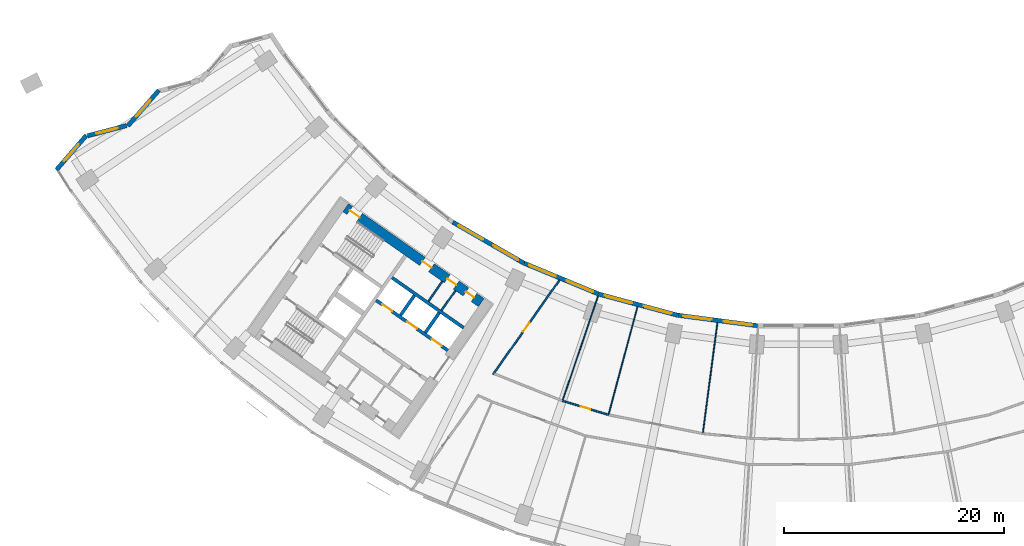
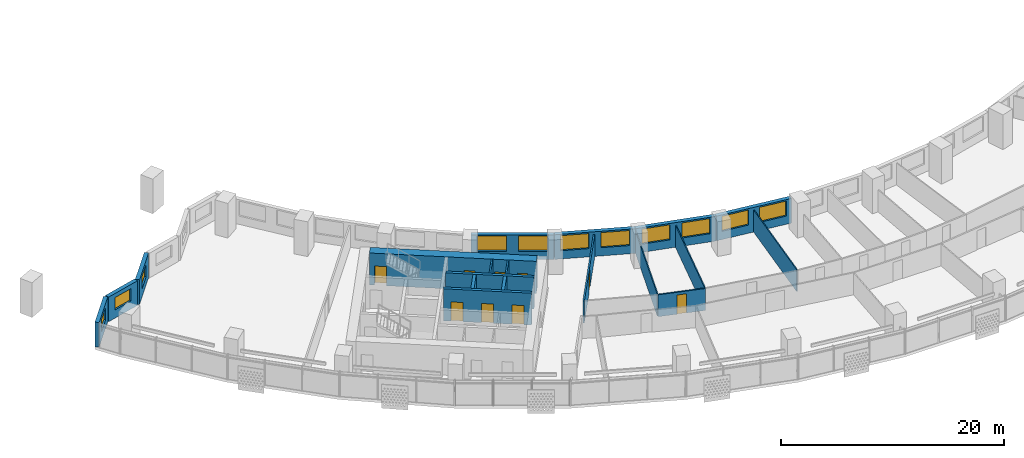
# One storey, part 4 of 31: 19 walls, 11 windows, 9 doors, 20 openings.
"""IFC4 building model written with IfcOpenShell, lengths in metres."""

from ifc_helpers import new_model, si_unit, direction, frame, frame_2d, origin, place, context, subcontext, project, spatial, rectangle, extrude, material, layer, layer_set, type_object, element, fill, save


model = new_model("IFC4")

# Units and contexts
model_context = context("Model", 3, precision=1e-05, world=origin(), true_north=direction((0.0, 1.0)))
body_context = subcontext(model_context, "Body", "Model", "MODEL_VIEW")
ifc_project = project(units=[si_unit("LENGTHUNIT", "METRE"), si_unit("AREAUNIT", "SQUARE_METRE"), si_unit("VOLUMEUNIT", "CUBIC_METRE"), si_unit("PLANEANGLEUNIT", "RADIAN"), si_unit("MASSUNIT", "GRAM", prefix="KILO")], contexts=[model_context])

# Site, building, storey
site_placement = place(None, origin())
site = spatial("IfcSite", under=ifc_project, at=site_placement, CompositionType="ELEMENT")
building_placement = place(site_placement, origin())
building = spatial("IfcBuilding", under=site, at=building_placement, Name="Qamariyya Broadcast Tower", CompositionType="ELEMENT")
storey_placement = place(building_placement, frame((0.0, 0.0, 59.5)))
storey = spatial("IfcBuildingStorey", under=building, at=storey_placement, Name="L11", CompositionType="ELEMENT", Elevation=59.5)

# Wall, openings, doors
ifc_material_1 = material(Name="Concrete C70/85", Category="concrete")
ifc_layer_1 = layer(ifc_material_1, 0.89990234375)
ifc_layer_set_1 = layer_set([ifc_layer_1], Name="Core wall 900 mm Concrete C70/85")
wall_type_1 = type_object("IfcWallType", Name="Core wall 900 mm Concrete C70/85", PredefinedType="SHEAR", material=ifc_layer_set_1)
wall_1_placement = place(storey_placement, frame((-28.8544921875, -54.32421875, 0.0), z_axis=(0.0, 0.0, 1.0), x_axis=(-0.819145767589, 0.573585400304, 0.0)))
wall_1 = element("IfcWall", 1, at=wall_1_placement, inside=storey, type_object=wall_type_1, Name="k-W-L11-WI", PredefinedType="SHEAR", context=body_context, shape_type="SweptSolid", body=[
    extrude(rectangle(XDim=15.04541015625, YDim=0.89990234375, at=frame_2d((7.522705078125, 0.0))), origin(), (0.0, 0.0, 1.0), 3.5),
])
opening_1_placement = place(wall_1_placement, frame((0.800048828125, 0.0, 0.0)))
opening_1 = element("IfcOpeningElement", 2, at=opening_1_placement, cuts=wall_1, Name="Opening KD5-W1", PredefinedType="OPENING", context=body_context, shape_type="SweptSolid", body=[
    extrude(rectangle(XDim=0.89990234375, YDim=2.10009765625, at=frame_2d((0.449951171875, 1.050048828125))), frame((0.0, 0.4599609375, 0.0), z_axis=(0.0, -1.0, 0.0), x_axis=(1.0, 0.0, 0.0)), (0.0, 0.0, 1.0), 0.919921875),
])
opening_2_placement = place(wall_1_placement, frame((2.77490234375, 0.0, 0.0)))
opening_2 = element("IfcOpeningElement", 3, at=opening_2_placement, cuts=wall_1, Name="Opening KD7-W1", PredefinedType="OPENING", context=body_context, shape_type="SweptSolid", body=[
    extrude(rectangle(XDim=1.0, YDim=2.10009765625, at=frame_2d((0.5, 1.050048828125))), frame((0.0, 0.4599609375, 0.0), z_axis=(0.0, -1.0, 0.0), x_axis=(1.0, 0.0, 0.0)), (0.0, 0.0, 1.0), 0.919921875),
])
opening_3_placement = place(wall_1_placement, frame((5.52490234375, 0.0, 0.0)))
opening_3 = element("IfcOpeningElement", 4, at=opening_3_placement, cuts=wall_1, Name="Opening KD6-W2", PredefinedType="OPENING", context=body_context, shape_type="SweptSolid", body=[
    extrude(rectangle(XDim=1.0, YDim=2.10009765625, at=frame_2d((0.5, 1.050048828125))), frame((0.0, 0.4599609375, 0.0), z_axis=(0.0, -1.0, 0.0), x_axis=(1.0, 0.0, 0.0)), (0.0, 0.0, 1.0), 0.919921875),
])
opening_4_placement = place(wall_1_placement, frame((13.495361328125, 0.0, 0.0)))
opening_4 = element("IfcOpeningElement", 5, at=opening_4_placement, cuts=wall_1, Name="Opening KD1-W1", PredefinedType="OPENING", context=body_context, shape_type="SweptSolid", body=[
    extrude(rectangle(XDim=1.10009765625, YDim=2.10009765625, at=frame_2d((0.550048828125, 1.050048828125))), frame((0.0, 0.4599609375, 0.0), z_axis=(0.0, -1.0, 0.0), x_axis=(1.0, 0.0, 0.0)), (0.0, 0.0, 1.0), 0.919921875),
])
ifc_material_2 = material(Name="Steel fire-resisting door leaf", Category="steel")
door_type_1 = type_object("IfcDoorType", Name="Accessible toilet door KD7", OperationType="SINGLE_SWING_LEFT", PredefinedType="DOOR", material=ifc_material_2)
door_1_placement = place(opening_2_placement, origin())
door_1 = element("IfcDoor", 6, at=door_1_placement, inside=storey, type_object=door_type_1, Name="k-W-L11-WI-D8", OperationType="SINGLE_SWING_LEFT", OverallHeight=2.10009765625, OverallWidth=1.0, PredefinedType="DOOR", context=body_context, shape_type="SweptSolid", body=[
    extrude(rectangle(XDim=1.0, YDim=2.10009765625, at=frame_2d((0.5, 1.050048828125))), frame((0.0, 0.02490234375, 0.0), z_axis=(0.0, -1.0, 0.0), x_axis=(1.0, 0.0, 0.0)), (0.0, 0.0, 1.0), 0.050048828125),
])
fill(opening_2, door_1)
door_type_2 = type_object("IfcDoorType", Name="Core room door KD6", OperationType="SINGLE_SWING_LEFT", PredefinedType="DOOR", material=ifc_material_2)
door_2_placement = place(opening_3_placement, origin())
door_2 = element("IfcDoor", 7, at=door_2_placement, inside=storey, type_object=door_type_2, Name="k-W-L11-WI-D9", OperationType="SINGLE_SWING_RIGHT", OverallHeight=2.10009765625, OverallWidth=1.0, PredefinedType="DOOR", context=body_context, shape_type="SweptSolid", body=[
    extrude(rectangle(XDim=1.0, YDim=2.10009765625, at=frame_2d((0.5, 1.050048828125))), frame((0.0, 0.02490234375, 0.0), z_axis=(0.0, -1.0, 0.0), x_axis=(1.0, 0.0, 0.0)), (0.0, 0.0, 1.0), 0.050048828125),
])
fill(opening_3, door_2)
door_type_3 = type_object("IfcDoorType", Name="Stair door KD1", OperationType="SINGLE_SWING_LEFT", PredefinedType="DOOR", material=ifc_material_2)
door_3_placement = place(opening_4_placement, origin())
door_3 = element("IfcDoor", 8, at=door_3_placement, inside=storey, type_object=door_type_3, Name="k-W-L11-WI-D16", OperationType="SINGLE_SWING_RIGHT", OverallHeight=2.10009765625, OverallWidth=1.10009765625, PredefinedType="DOOR", context=body_context, shape_type="SweptSolid", body=[
    extrude(rectangle(XDim=1.10009765625, YDim=2.10009765625, at=frame_2d((0.550048828125, 1.050048828125))), frame((0.0, 0.02490234375, 0.0), z_axis=(0.0, -1.0, 0.0), x_axis=(1.0, 0.0, 0.0)), (0.0, 0.0, 1.0), 0.050048828125),
])
fill(opening_4, door_3)
door_type_4 = type_object("IfcDoorType", Name="Toilet door KD5", OperationType="SINGLE_SWING_LEFT", PredefinedType="DOOR", material=ifc_material_2)
door_4_placement = place(opening_1_placement, origin())
door_4 = element("IfcDoor", 9, at=door_4_placement, inside=storey, type_object=door_type_4, Name="k-W-L11-WI-D7", OperationType="SINGLE_SWING_RIGHT", OverallHeight=2.10009765625, OverallWidth=0.89990234375, PredefinedType="DOOR", context=body_context, shape_type="SweptSolid", body=[
    extrude(rectangle(XDim=0.89990234375, YDim=2.10009765625, at=frame_2d((0.449951171875, 1.050048828125))), frame((0.0, 0.02490234375, 0.0), z_axis=(0.0, -1.0, 0.0), x_axis=(1.0, 0.0, 0.0)), (0.0, 0.0, 1.0), 0.050048828125),
])
fill(opening_1, door_4)

# Wall, opening, door
ifc_material_3 = material(Name="Gypsum board partition")
ifc_layer_2 = layer(ifc_material_3, 0.14990234375)
ifc_layer_set_2 = layer_set([ifc_layer_2], Name="Corridor partition 150 EI 60")
wall_type_2 = type_object("IfcWallType", Name="Corridor partition 150 EI 60", PredefinedType="PARTITIONING", material=ifc_layer_set_2)
wall_2_placement = place(storey_placement, frame((-21.748291015625, -52.2763671875, 0.0), z_axis=(0.0, 0.0, 1.0), x_axis=(-0.575419434668, -0.817858468322, 0.0)))
wall_2 = element("IfcWall", 10, at=wall_2_placement, inside=storey, type_object=wall_type_2, Name="Partition L11-008", PredefinedType="PARTITIONING", context=body_context, shape_type="SweptSolid", body=[
    extrude(rectangle(XDim=10.46484375, YDim=0.14990234375, at=frame_2d((5.232421875, 0.0))), origin(), (0.0, 0.0, 1.0), 2.39990234375),
])
opening_5_placement = place(wall_2_placement, frame((4.732421875, 0.0, 0.0)))
opening_5 = element("IfcOpeningElement", 11, at=opening_5_placement, cuts=wall_2, Name="Opening L11-D08", PredefinedType="OPENING", context=body_context, shape_type="SweptSolid", body=[
    extrude(rectangle(XDim=1.0, YDim=2.10009765625, at=frame_2d((0.5, 1.050048828125))), frame((0.0, 0.0849609375, 0.0), z_axis=(0.0, -1.0, 0.0), x_axis=(1.0, 0.0, 0.0)), (0.0, 0.0, 1.0), 0.169921875),
])
ifc_material_4 = material(Name="Timber fire door leaf", Category="wood")
door_type_5 = type_object("IfcDoorType", Name="Fire door 1000 x 2100 FD60", OperationType="NOTDEFINED", PredefinedType="DOOR", material=ifc_material_4)
door_5_placement = place(opening_5_placement, origin())
door_5 = element("IfcDoor", 12, at=door_5_placement, inside=storey, type_object=door_type_5, Name="Door L11-D08", OperationType="SINGLE_SWING_RIGHT", OverallHeight=2.10009765625, OverallWidth=1.0, PredefinedType="DOOR", context=body_context, shape_type="SweptSolid", body=[
    extrude(rectangle(XDim=1.0, YDim=2.10009765625, at=frame_2d((0.5, 1.050048828125))), frame((0.0, 0.02490234375, 0.0), z_axis=(0.0, -1.0, 0.0), x_axis=(1.0, 0.0, 0.0)), (0.0, 0.0, 1.0), 0.050048828125),
])
fill(opening_5, door_5)

wall_3_placement = place(storey_placement, frame((-21.47216796875, -63.2548828125, 0.0), z_axis=(0.0, 0.0, 1.0), x_axis=(0.956933231095, -0.290308097072, 0.0)))
wall_3 = element("IfcWall", 13, at=wall_3_placement, inside=storey, type_object=wall_type_2, Name="Partition L11-009", PredefinedType="PARTITIONING", context=body_context, shape_type="SweptSolid", body=[
    extrude(rectangle(XDim=4.371337890625, YDim=0.14990234375, at=frame_2d((2.185546875, 0.0))), origin(), (0.0, 0.0, 1.0), 2.39990234375),
])
opening_6_placement = place(wall_3_placement, frame((1.735595703125, 0.0, 0.0)))
opening_6 = element("IfcOpeningElement", 14, at=opening_6_placement, cuts=wall_3, Name="Opening L11-D09", PredefinedType="OPENING", context=body_context, shape_type="SweptSolid", body=[
    extrude(rectangle(XDim=0.89990234375, YDim=2.10009765625, at=frame_2d((0.449951171875, 1.050048828125))), frame((0.0, 0.0849609375, 0.0), z_axis=(0.0, -1.0, 0.0), x_axis=(1.0, 0.0, 0.0)), (0.0, 0.0, 1.0), 0.169921875),
])
door_type_6 = type_object("IfcDoorType", Name="Fire door 900 x 2100 FD60", OperationType="NOTDEFINED", PredefinedType="DOOR", material=ifc_material_4)
door_6_placement = place(opening_6_placement, origin())
door_6 = element("IfcDoor", 15, at=door_6_placement, inside=storey, type_object=door_type_6, Name="Door L11-D09", OperationType="SINGLE_SWING_RIGHT", OverallHeight=2.10009765625, OverallWidth=0.89990234375, PredefinedType="DOOR", context=body_context, shape_type="SweptSolid", body=[
    extrude(rectangle(XDim=0.89990234375, YDim=2.10009765625, at=frame_2d((0.449951171875, 1.050048828125))), frame((0.0, 0.02490234375, 0.0), z_axis=(0.0, -1.0, 0.0), x_axis=(1.0, 0.0, 0.0)), (0.0, 0.0, 1.0), 0.050048828125),
])
fill(opening_6, door_6)

# Walls
ifc_material_5 = material(Name="Gypsum board partition on steel studs", Category="steel")
ifc_layer_3 = layer(ifc_material_5, 0.14990234375)
ifc_layer_set_3 = layer_set([ifc_layer_3], Name="Gypsum board partition 150 mm")
wall_type_3 = type_object("IfcWallType", Name="Gypsum board partition 150 mm", PredefinedType="PARTITIONING", material=ifc_layer_set_3)
wall_4_placement = place(storey_placement, frame((-32.46337890625, -55.0322265625, 0.0), z_axis=(0.0, 0.0, 1.0), x_axis=(0.573507030513, 0.819200638399, 0.0)))
element("IfcWall", 16, at=wall_4_placement, inside=storey, type_object=wall_type_3, Name="k-W-L11-NP255", PredefinedType="PARTITIONING", context=body_context, shape_type="SweptSolid", body=[
    extrude(rectangle(XDim=2.199951171875, YDim=0.14990234375, at=frame_2d((1.10009765625, 0.0))), origin(), (0.0, 0.0, 1.0), 3.5),
])
wall_5_placement = place(storey_placement, frame((-33.651123046875, -54.200439453125, 0.0), z_axis=(0.0, 0.0, 1.0), x_axis=(0.573559170999, 0.819164133348, 0.0)))
element("IfcWall", 17, at=wall_5_placement, inside=storey, type_object=wall_type_3, Name="k-W-L11-NP400", PredefinedType="PARTITIONING", context=body_context, shape_type="SweptSolid", body=[
    extrude(rectangle(XDim=2.19970703125, YDim=0.14990234375, at=frame_2d((1.099853515625, 0.0))), origin(), (0.0, 0.0, 1.0), 3.5),
])

# Wall, openings, doors
ifc_material_6 = material(Name="Concrete C60/75", Category="concrete")
ifc_layer_4 = layer(ifc_material_6, 0.300048828125)
ifc_layer_set_4 = layer_set([ifc_layer_4], Name="Lift shaft wall 300 mm Concrete C60/75")
wall_type_4 = type_object("IfcWallType", Name="Lift shaft wall 300 mm Concrete C60/75", PredefinedType="SOLIDWALL", material=ifc_layer_set_4)
wall_6_placement = place(storey_placement, frame((-31.89453125, -58.66552734375, 0.0), z_axis=(0.0, 0.0, 1.0), x_axis=(-0.819166993208, 0.573555086491, 0.0)))
wall_6 = element("IfcWall", 18, at=wall_6_placement, inside=storey, type_object=wall_type_4, Name="k-W-L11-NF0", PredefinedType="SOLIDWALL", context=body_context, shape_type="SweptSolid", body=[
    extrude(rectangle(XDim=7.9501953125, YDim=0.300048828125, at=frame_2d((3.97509765625, 0.0))), origin(), (0.0, 0.0, 1.0), 3.5),
])
opening_7_placement = place(wall_6_placement, frame((0.675048828125, 0.0, 0.0)))
opening_7 = element("IfcOpeningElement", 19, at=opening_7_placement, cuts=wall_6, Name="Opening LD", PredefinedType="OPENING", context=body_context, shape_type="SweptSolid", body=[
    extrude(rectangle(XDim=1.10009765625, YDim=2.10009765625, at=frame_2d((0.550048828125, 1.050048828125))), frame((0.0, 0.159912109375, 0.0), z_axis=(0.0, -1.0, 0.0), x_axis=(1.0, 0.0, 0.0)), (0.0, 0.0, 1.0), 0.320068359375),
])
opening_8_placement = place(wall_6_placement, frame((3.425048828125, 0.0, 0.0)))
opening_8 = element("IfcOpeningElement", 20, at=opening_8_placement, cuts=wall_6, Name="Opening LD", PredefinedType="OPENING", context=body_context, shape_type="SweptSolid", body=[
    extrude(rectangle(XDim=1.10009765625, YDim=2.10009765625, at=frame_2d((0.550048828125, 1.050048828125))), frame((0.0, 0.159912109375, 0.0), z_axis=(0.0, -1.0, 0.0), x_axis=(1.0, 0.0, 0.0)), (0.0, 0.0, 1.0), 0.320068359375),
])
opening_9_placement = place(wall_6_placement, frame((6.175048828125, 0.0, 0.0)))
opening_9 = element("IfcOpeningElement", 21, at=opening_9_placement, cuts=wall_6, Name="Opening LD", PredefinedType="OPENING", context=body_context, shape_type="SweptSolid", body=[
    extrude(rectangle(XDim=1.10009765625, YDim=2.10009765625, at=frame_2d((0.550048828125, 1.050048828125))), frame((0.0, 0.159912109375, 0.0), z_axis=(0.0, -1.0, 0.0), x_axis=(1.0, 0.0, 0.0)), (0.0, 0.0, 1.0), 0.320068359375),
])
door_type_7 = type_object("IfcDoorType", Name="Lift landing door LD", OperationType="DOUBLE_DOOR_SLIDING", PredefinedType="DOOR", material=ifc_material_2)
door_7_placement = place(opening_7_placement, origin())
door_7 = element("IfcDoor", 22, at=door_7_placement, inside=storey, type_object=door_type_7, Name="k-W-L11-NF0-D2", OperationType="DOUBLE_DOOR_SLIDING", OverallHeight=2.10009765625, OverallWidth=1.10009765625, PredefinedType="DOOR", context=body_context, shape_type="SweptSolid", body=[
    extrude(rectangle(XDim=1.10009765625, YDim=2.10009765625, at=frame_2d((0.550048828125, 1.050048828125))), frame((0.0, 0.02490234375, 0.0), z_axis=(0.0, -1.0, 0.0), x_axis=(1.0, 0.0, 0.0)), (0.0, 0.0, 1.0), 0.050048828125),
])
fill(opening_7, door_7)
door_8_placement = place(opening_8_placement, origin())
door_8 = element("IfcDoor", 23, at=door_8_placement, inside=storey, type_object=door_type_7, Name="k-W-L11-NF0-D3", OperationType="DOUBLE_DOOR_SLIDING", OverallHeight=2.10009765625, OverallWidth=1.10009765625, PredefinedType="DOOR", context=body_context, shape_type="SweptSolid", body=[
    extrude(rectangle(XDim=1.10009765625, YDim=2.10009765625, at=frame_2d((0.550048828125, 1.050048828125))), frame((0.0, 0.02490234375, 0.0), z_axis=(0.0, -1.0, 0.0), x_axis=(1.0, 0.0, 0.0)), (0.0, 0.0, 1.0), 0.050048828125),
])
fill(opening_8, door_8)
door_9_placement = place(opening_9_placement, origin())
door_9 = element("IfcDoor", 24, at=door_9_placement, inside=storey, type_object=door_type_7, Name="k-W-L11-NF0-D4", OperationType="DOUBLE_DOOR_SLIDING", OverallHeight=2.10009765625, OverallWidth=1.10009765625, PredefinedType="DOOR", context=body_context, shape_type="SweptSolid", body=[
    extrude(rectangle(XDim=1.10009765625, YDim=2.10009765625, at=frame_2d((0.550048828125, 1.050048828125))), frame((0.0, 0.02490234375, 0.0), z_axis=(0.0, -1.0, 0.0), x_axis=(1.0, 0.0, 0.0)), (0.0, 0.0, 1.0), 0.050048828125),
])
fill(opening_9, door_9)

# Walls
wall_7_placement = place(storey_placement, frame((-30.460693359375, -56.61767578125, 0.0), z_axis=(0.0, 0.0, 1.0), x_axis=(-0.819142461705, 0.573590121456, 0.0)))
element("IfcWall", 25, at=wall_7_placement, inside=storey, type_object=wall_type_4, Name="k-W-L11-NB0", PredefinedType="SOLIDWALL", context=body_context, shape_type="SweptSolid", body=[
    extrude(rectangle(XDim=7.949951171875, YDim=0.300048828125, at=frame_2d((3.97509765625, 0.0))), origin(), (0.0, 0.0, 1.0), 3.5),
])
wall_8_placement = place(storey_placement, frame((-33.9384765625, -57.051513671875, 0.0), z_axis=(0.0, 0.0, 1.0), x_axis=(0.573581496053, 0.819148501424, 0.0)))
element("IfcWall", 26, at=wall_8_placement, inside=storey, type_object=wall_type_4, Name="k-W-L11-ND0", PredefinedType="SOLIDWALL", context=body_context, shape_type="SweptSolid", body=[
    extrude(rectangle(XDim=2.2001953125, YDim=0.300048828125, at=frame_2d((1.10009765625, 0.0))), origin(), (0.0, 0.0, 1.0), 3.5),
])
wall_9_placement = place(storey_placement, frame((-36.19091796875, -55.47412109375, 0.0), z_axis=(0.0, 0.0, 1.0), x_axis=(0.573507030513, 0.819200638399, 0.0)))
element("IfcWall", 27, at=wall_9_placement, inside=storey, type_object=wall_type_4, Name="k-W-L11-ND1", PredefinedType="SOLIDWALL", context=body_context, shape_type="SweptSolid", body=[
    extrude(rectangle(XDim=2.199951171875, YDim=0.300048828125, at=frame_2d((1.10009765625, 0.0))), origin(), (0.0, 0.0, 1.0), 3.5),
])
ifc_layer_5 = layer(ifc_material_3, 0.10009765625)
ifc_layer_set_5 = layer_set([ifc_layer_5], Name="Partition 100")
wall_type_5 = type_object("IfcWallType", Name="Partition 100", PredefinedType="PARTITIONING", material=ifc_layer_set_5)
wall_10_placement = place(storey_placement, frame((-18.24169921875, -53.73828125, 0.0), z_axis=(0.0, 0.0, 1.0), x_axis=(-0.321436265026, -0.946931215837, 0.0)))
element("IfcWall", 28, at=wall_10_placement, inside=storey, type_object=wall_type_5, Name="Partition L11-011", PredefinedType="PARTITIONING", context=body_context, shape_type="SweptSolid", body=[
    extrude(rectangle(XDim=9.974853515625, YDim=0.10009765625, at=frame_2d((4.9873046875, 0.0))), origin(), (0.0, 0.0, 1.0), 2.39990234375),
])
for number, where, z_axis, x_axis, name in (
    (29, (-14.65673828125, -54.69970703125, 0.0), (0.0, 0.0, 1.0), (-0.258825935876, -0.965923979885, 0.0), "Partition L11-013"),
    (30, (-7.3916015625, -56.144775390625, 0.0), (0.0, 0.0, 1.0), (-0.130538336764, -0.991443262439, 0.0), "Partition L11-015"),
):
    element("IfcWall", number, at=place(storey_placement, frame(where, z_axis=z_axis, x_axis=x_axis)), inside=storey, type_object=wall_type_5, Name=name, PredefinedType="PARTITIONING", context=body_context, shape_type="SweptSolid", body=[
        extrude(rectangle(XDim=10.095703125, YDim=0.10009765625, at=frame_2d((5.0478515625, 0.0))), origin(), (0.0, 0.0, 1.0), 2.39990234375),
    ])

# Wall, opening, window
ifc_material_7 = material(Name="Terracotta", Category="masonry")
ifc_layer_6 = layer(ifc_material_7, 0.39990234375)
ifc_layer_set_6 = layer_set([ifc_layer_6], Name="Terracotta clad wall 400")
wall_type_6 = type_object("IfcWallType", Name="Terracotta clad wall 400", PredefinedType="SOLIDWALL", material=ifc_layer_set_6)
wall_11_placement = place(storey_placement, frame((-58.16162109375, -35.0224609375, 0.0), z_axis=(0.0, 0.0, 1.0), x_axis=(-0.655460624438, -0.755229349146, 0.0)))
wall_11 = element("IfcWall", 31, at=wall_11_placement, inside=storey, type_object=wall_type_6, Name="e-wl-L11-capW3", PredefinedType="SOLIDWALL", context=body_context, shape_type="SweptSolid", body=[
    extrude(rectangle(XDim=4.294677734375, YDim=0.39990234375, at=frame_2d((2.1474609375, 0.0))), origin(), (0.0, 0.0, 1.0), 2.699951171875),
])
opening_10_placement = place(wall_11_placement, frame((1.147216796875, 0.0, 0.89990234375)))
opening_10 = element("IfcOpeningElement", 32, at=opening_10_placement, cuts=wall_11, Name="Opening W4", PredefinedType="OPENING", context=body_context, shape_type="SweptSolid", body=[
    extrude(rectangle(XDim=2.0, YDim=1.35009765625, at=frame_2d((1.0, 0.675048828125))), frame((0.0, 0.2099609375, 0.0), z_axis=(0.0, -1.0, 0.0), x_axis=(1.0, 0.0, 0.0)), (0.0, 0.0, 1.0), 0.419921875),
])
ifc_material_8 = material(Name="Clear low-e double glazed unit in aluminium frame", Category="aluminium")
window_type_1 = type_object("IfcWindowType", Name="Horn bay window 2000 x 1350", PartitioningType="SINGLE_PANEL", PredefinedType="WINDOW", material=ifc_material_8)
window_1_placement = place(opening_10_placement, origin())
window_1 = element("IfcWindow", 33, at=window_1_placement, inside=storey, type_object=window_type_1, Name="e-w-L11-capW3", OverallHeight=1.35009765625, OverallWidth=2.0, PartitioningType="SINGLE_PANEL", PredefinedType="WINDOW", context=body_context, shape_type="SweptSolid", body=[
    extrude(rectangle(XDim=2.0, YDim=1.35009765625, at=frame_2d((1.0, 0.675048828125))), frame((0.0, 0.030029296875, 0.0), z_axis=(0.0, -1.0, 0.0), x_axis=(1.0, 0.0, 0.0)), (0.0, 0.0, 1.0), 0.06005859375),
])
fill(opening_10, window_1)

wall_12_placement = place(storey_placement, frame((-61.10107421875, -38.234619140625, 0.0), z_axis=(0.0, 0.0, 1.0), x_axis=(-0.967238154233, -0.253870740724, 0.0)))
wall_12 = element("IfcWall", 34, at=wall_12_placement, inside=storey, type_object=wall_type_6, Name="e-wl-L11-capW4", PredefinedType="SOLIDWALL", context=body_context, shape_type="SweptSolid", body=[
    extrude(rectangle(XDim=3.648681640625, YDim=0.39990234375, at=frame_2d((1.82421875, 0.0))), origin(), (0.0, 0.0, 1.0), 2.699951171875),
])
opening_11_placement = place(wall_12_placement, frame((0.824462890625, 0.0, 0.89990234375)))
opening_11 = element("IfcOpeningElement", 35, at=opening_11_placement, cuts=wall_12, Name="Opening W4", PredefinedType="OPENING", context=body_context, shape_type="SweptSolid", body=[
    extrude(rectangle(XDim=2.0, YDim=1.35009765625, at=frame_2d((1.0, 0.675048828125))), frame((0.0, 0.2099609375, 0.0), z_axis=(0.0, -1.0, 0.0), x_axis=(1.0, 0.0, 0.0)), (0.0, 0.0, 1.0), 0.419921875),
])
window_2_placement = place(opening_11_placement, origin())
window_2 = element("IfcWindow", 36, at=window_2_placement, inside=storey, type_object=window_type_1, Name="e-w-L11-capW4", OverallHeight=1.35009765625, OverallWidth=2.0, PartitioningType="SINGLE_PANEL", PredefinedType="WINDOW", context=body_context, shape_type="SweptSolid", body=[
    extrude(rectangle(XDim=2.0, YDim=1.35009765625, at=frame_2d((1.0, 0.675048828125))), frame((0.0, 0.030029296875, 0.0), z_axis=(0.0, -1.0, 0.0), x_axis=(1.0, 0.0, 0.0)), (0.0, 0.0, 1.0), 0.06005859375),
])
fill(opening_11, window_2)

wall_13_placement = place(storey_placement, frame((-64.7548828125, -39.12939453125, 0.0), z_axis=(0.0, 0.0, 1.0), x_axis=(-0.655408477407, -0.755274604195, 0.0)))
wall_13 = element("IfcWall", 37, at=wall_13_placement, inside=storey, type_object=wall_type_6, Name="e-wl-L11-capW5", PredefinedType="SOLIDWALL", context=body_context, shape_type="SweptSolid", body=[
    extrude(rectangle(XDim=4.121826171875, YDim=0.39990234375, at=frame_2d((2.06103515625, 0.0))), origin(), (0.0, 0.0, 1.0), 2.699951171875),
])
opening_12_placement = place(wall_13_placement, frame((1.060791015625, 0.0, 0.89990234375)))
opening_12 = element("IfcOpeningElement", 38, at=opening_12_placement, cuts=wall_13, Name="Opening W4", PredefinedType="OPENING", context=body_context, shape_type="SweptSolid", body=[
    extrude(rectangle(XDim=2.0, YDim=1.35009765625, at=frame_2d((1.0, 0.675048828125))), frame((0.0, 0.2099609375, 0.0), z_axis=(0.0, -1.0, 0.0), x_axis=(1.0, 0.0, 0.0)), (0.0, 0.0, 1.0), 0.419921875),
])
window_3_placement = place(opening_12_placement, origin())
window_3 = element("IfcWindow", 39, at=window_3_placement, inside=storey, type_object=window_type_1, Name="e-w-L11-capW5", OverallHeight=1.35009765625, OverallWidth=2.0, PartitioningType="SINGLE_PANEL", PredefinedType="WINDOW", context=body_context, shape_type="SweptSolid", body=[
    extrude(rectangle(XDim=2.0, YDim=1.35009765625, at=frame_2d((1.0, 0.675048828125))), frame((0.0, 0.030029296875, 0.0), z_axis=(0.0, -1.0, 0.0), x_axis=(1.0, 0.0, 0.0)), (0.0, 0.0, 1.0), 0.06005859375),
])
fill(opening_12, window_3)

# Wall, openings, windows
wall_14_placement = place(storey_placement, frame((-24.989990234375, -50.73095703125, 0.0), z_axis=(0.0, 0.0, 1.0), x_axis=(-0.866037641005, 0.499978803913, 0.0)))
wall_14 = element("IfcWall", 40, at=wall_14_placement, inside=storey, type_object=wall_type_6, Name="e-wl-L11-in40", PredefinedType="SOLIDWALL", context=body_context, shape_type="SweptSolid", body=[
    extrude(rectangle(XDim=7.447021484375, YDim=0.39990234375, at=frame_2d((3.7236328125, 0.0))), origin(), (0.0, 0.0, 1.0), 2.699951171875),
])
opening_13_placement = place(wall_14_placement, frame((4.266357421875, 0.0, 0.89990234375)))
opening_13 = element("IfcOpeningElement", 41, at=opening_13_placement, cuts=wall_14, Name="Opening W1", PredefinedType="OPENING", context=body_context, shape_type="SweptSolid", body=[
    extrude(rectangle(XDim=2.60009765625, YDim=1.64990234375, at=frame_2d((1.300048828125, 0.824951171875))), frame((0.0, 0.2099609375, 0.0), z_axis=(0.0, -1.0, 0.0), x_axis=(1.0, 0.0, 0.0)), (0.0, 0.0, 1.0), 0.419921875),
])
opening_14_placement = place(wall_14_placement, frame((0.580810546875, 0.0, 0.89990234375)))
opening_14 = element("IfcOpeningElement", 42, at=opening_14_placement, cuts=wall_14, Name="Opening W1", PredefinedType="OPENING", context=body_context, shape_type="SweptSolid", body=[
    extrude(rectangle(XDim=2.60009765625, YDim=1.64990234375, at=frame_2d((1.300048828125, 0.824951171875))), frame((0.0, 0.2099609375, 0.0), z_axis=(0.0, -1.0, 0.0), x_axis=(1.0, 0.0, 0.0)), (0.0, 0.0, 1.0), 0.419921875),
])
window_type_2 = type_object("IfcWindowType", Name="Ribbon window 2600 x 1650", PartitioningType="SINGLE_PANEL", PredefinedType="WINDOW", material=ifc_material_8)
window_4_placement = place(opening_13_placement, origin())
window_4 = element("IfcWindow", 43, at=window_4_placement, inside=storey, type_object=window_type_2, Name="e-w-L11-in04-0", OverallHeight=1.64990234375, OverallWidth=2.60009765625, PartitioningType="SINGLE_PANEL", PredefinedType="WINDOW", context=body_context, shape_type="SweptSolid", body=[
    extrude(rectangle(XDim=2.60009765625, YDim=1.64990234375, at=frame_2d((1.300048828125, 0.824951171875))), frame((0.0, 0.030029296875, 0.0), z_axis=(0.0, -1.0, 0.0), x_axis=(1.0, 0.0, 0.0)), (0.0, 0.0, 1.0), 0.06005859375),
])
fill(opening_13, window_4)
window_5_placement = place(opening_14_placement, origin())
window_5 = element("IfcWindow", 44, at=window_5_placement, inside=storey, type_object=window_type_2, Name="e-w-L11-in04-1", OverallHeight=1.64990234375, OverallWidth=2.60009765625, PartitioningType="SINGLE_PANEL", PredefinedType="WINDOW", context=body_context, shape_type="SweptSolid", body=[
    extrude(rectangle(XDim=2.60009765625, YDim=1.64990234375, at=frame_2d((1.300048828125, 0.824951171875))), frame((0.0, 0.030029296875, 0.0), z_axis=(0.0, -1.0, 0.0), x_axis=(1.0, 0.0, 0.0)), (0.0, 0.0, 1.0), 0.06005859375),
])
fill(opening_14, window_5)

wall_15_placement = place(storey_placement, frame((-18.224365234375, -53.52978515625, 0.0), z_axis=(0.0, 0.0, 1.0), x_axis=(-0.923891626322, 0.382654234018, 0.0)))
wall_15 = element("IfcWall", 45, at=wall_15_placement, inside=storey, type_object=wall_type_6, Name="e-wl-L11-in50", PredefinedType="SOLIDWALL", context=body_context, shape_type="SweptSolid", body=[
    extrude(rectangle(XDim=7.295654296875, YDim=0.39990234375, at=frame_2d((3.64794921875, 0.0))), origin(), (0.0, 0.0, 1.0), 2.699951171875),
])
opening_15_placement = place(wall_15_placement, frame((4.190673828125, 0.0, 0.89990234375)))
opening_15 = element("IfcOpeningElement", 46, at=opening_15_placement, cuts=wall_15, Name="Opening W1", PredefinedType="OPENING", context=body_context, shape_type="SweptSolid", body=[
    extrude(rectangle(XDim=2.60009765625, YDim=1.64990234375, at=frame_2d((1.300048828125, 0.824951171875))), frame((0.0, 0.2099609375, 0.0), z_axis=(0.0, -1.0, 0.0), x_axis=(1.0, 0.0, 0.0)), (0.0, 0.0, 1.0), 0.419921875),
])
opening_16_placement = place(wall_15_placement, frame((0.505126953125, 0.0, 0.89990234375)))
opening_16 = element("IfcOpeningElement", 47, at=opening_16_placement, cuts=wall_15, Name="Opening W1", PredefinedType="OPENING", context=body_context, shape_type="SweptSolid", body=[
    extrude(rectangle(XDim=2.60009765625, YDim=1.64990234375, at=frame_2d((1.300048828125, 0.824951171875))), frame((0.0, 0.2099609375, 0.0), z_axis=(0.0, -1.0, 0.0), x_axis=(1.0, 0.0, 0.0)), (0.0, 0.0, 1.0), 0.419921875),
])
window_6_placement = place(opening_15_placement, origin())
window_6 = element("IfcWindow", 48, at=window_6_placement, inside=storey, type_object=window_type_2, Name="e-w-L11-in05-0", OverallHeight=1.64990234375, OverallWidth=2.60009765625, PartitioningType="SINGLE_PANEL", PredefinedType="WINDOW", context=body_context, shape_type="SweptSolid", body=[
    extrude(rectangle(XDim=2.60009765625, YDim=1.64990234375, at=frame_2d((1.300048828125, 0.824951171875))), frame((0.0, 0.030029296875, 0.0), z_axis=(0.0, -1.0, 0.0), x_axis=(1.0, 0.0, 0.0)), (0.0, 0.0, 1.0), 0.06005859375),
])
fill(opening_15, window_6)
window_7_placement = place(opening_16_placement, origin())
window_7 = element("IfcWindow", 49, at=window_7_placement, inside=storey, type_object=window_type_2, Name="e-w-L11-in05-1", OverallHeight=1.64990234375, OverallWidth=2.60009765625, PartitioningType="SINGLE_PANEL", PredefinedType="WINDOW", context=body_context, shape_type="SweptSolid", body=[
    extrude(rectangle(XDim=2.60009765625, YDim=1.64990234375, at=frame_2d((1.300048828125, 0.824951171875))), frame((0.0, 0.030029296875, 0.0), z_axis=(0.0, -1.0, 0.0), x_axis=(1.0, 0.0, 0.0)), (0.0, 0.0, 1.0), 0.06005859375),
])
fill(opening_16, window_7)

wall_16_placement = place(storey_placement, frame((-11.00830078125, -55.47021484375, 0.0), z_axis=(0.0, 0.0, 1.0), x_axis=(-0.965924637935, 0.25882348006, 0.0)))
wall_16 = element("IfcWall", 50, at=wall_16_placement, inside=storey, type_object=wall_type_6, Name="e-wl-L11-in60", PredefinedType="SOLIDWALL", context=body_context, shape_type="SweptSolid", body=[
    extrude(rectangle(XDim=7.447021484375, YDim=0.39990234375, at=frame_2d((3.7236328125, 0.0))), origin(), (0.0, 0.0, 1.0), 2.699951171875),
])
opening_17_placement = place(wall_16_placement, frame((4.266357421875, 0.0, 0.89990234375)))
opening_17 = element("IfcOpeningElement", 51, at=opening_17_placement, cuts=wall_16, Name="Opening W1", PredefinedType="OPENING", context=body_context, shape_type="SweptSolid", body=[
    extrude(rectangle(XDim=2.60009765625, YDim=1.64990234375, at=frame_2d((1.300048828125, 0.824951171875))), frame((0.0, 0.2099609375, 0.0), z_axis=(0.0, -1.0, 0.0), x_axis=(1.0, 0.0, 0.0)), (0.0, 0.0, 1.0), 0.419921875),
])
opening_18_placement = place(wall_16_placement, frame((0.580810546875, 0.0, 0.89990234375)))
opening_18 = element("IfcOpeningElement", 52, at=opening_18_placement, cuts=wall_16, Name="Opening W1", PredefinedType="OPENING", context=body_context, shape_type="SweptSolid", body=[
    extrude(rectangle(XDim=2.60009765625, YDim=1.64990234375, at=frame_2d((1.300048828125, 0.824951171875))), frame((0.0, 0.2099609375, 0.0), z_axis=(0.0, -1.0, 0.0), x_axis=(1.0, 0.0, 0.0)), (0.0, 0.0, 1.0), 0.419921875),
])
window_8_placement = place(opening_17_placement, origin())
window_8 = element("IfcWindow", 53, at=window_8_placement, inside=storey, type_object=window_type_2, Name="e-w-L11-in06-0", OverallHeight=1.64990234375, OverallWidth=2.60009765625, PartitioningType="SINGLE_PANEL", PredefinedType="WINDOW", context=body_context, shape_type="SweptSolid", body=[
    extrude(rectangle(XDim=2.60009765625, YDim=1.64990234375, at=frame_2d((1.300048828125, 0.824951171875))), frame((0.0, 0.030029296875, 0.0), z_axis=(0.0, -1.0, 0.0), x_axis=(1.0, 0.0, 0.0)), (0.0, 0.0, 1.0), 0.06005859375),
])
fill(opening_17, window_8)
window_9_placement = place(opening_18_placement, origin())
window_9 = element("IfcWindow", 54, at=window_9_placement, inside=storey, type_object=window_type_2, Name="e-w-L11-in06-1", OverallHeight=1.64990234375, OverallWidth=2.60009765625, PartitioningType="SINGLE_PANEL", PredefinedType="WINDOW", context=body_context, shape_type="SweptSolid", body=[
    extrude(rectangle(XDim=2.60009765625, YDim=1.64990234375, at=frame_2d((1.300048828125, 0.824951171875))), frame((0.0, 0.030029296875, 0.0), z_axis=(0.0, -1.0, 0.0), x_axis=(1.0, 0.0, 0.0)), (0.0, 0.0, 1.0), 0.06005859375),
])
fill(opening_18, window_9)

wall_17_placement = place(storey_placement, frame((-3.748779296875, -56.422607421875, 0.0), z_axis=(0.0, 0.0, 1.0), x_axis=(-0.99144746031, 0.130506449818, 0.0)))
wall_17 = element("IfcWall", 55, at=wall_17_placement, inside=storey, type_object=wall_type_6, Name="e-wl-L11-in70", PredefinedType="SOLIDWALL", context=body_context, shape_type="SweptSolid", body=[
    extrude(rectangle(XDim=7.2958984375, YDim=0.39990234375, at=frame_2d((3.64794921875, 0.0))), origin(), (0.0, 0.0, 1.0), 2.699951171875),
])
opening_19_placement = place(wall_17_placement, frame((4.190673828125, 0.0, 0.89990234375)))
opening_19 = element("IfcOpeningElement", 56, at=opening_19_placement, cuts=wall_17, Name="Opening W1", PredefinedType="OPENING", context=body_context, shape_type="SweptSolid", body=[
    extrude(rectangle(XDim=2.60009765625, YDim=1.64990234375, at=frame_2d((1.300048828125, 0.824951171875))), frame((0.0, 0.2099609375, 0.0), z_axis=(0.0, -1.0, 0.0), x_axis=(1.0, 0.0, 0.0)), (0.0, 0.0, 1.0), 0.419921875),
])
opening_20_placement = place(wall_17_placement, frame((0.505126953125, 0.0, 0.89990234375)))
opening_20 = element("IfcOpeningElement", 57, at=opening_20_placement, cuts=wall_17, Name="Opening W1", PredefinedType="OPENING", context=body_context, shape_type="SweptSolid", body=[
    extrude(rectangle(XDim=2.60009765625, YDim=1.64990234375, at=frame_2d((1.300048828125, 0.824951171875))), frame((0.0, 0.2099609375, 0.0), z_axis=(0.0, -1.0, 0.0), x_axis=(1.0, 0.0, 0.0)), (0.0, 0.0, 1.0), 0.419921875),
])
window_10_placement = place(opening_19_placement, origin())
window_10 = element("IfcWindow", 58, at=window_10_placement, inside=storey, type_object=window_type_2, Name="e-w-L11-in07-0", OverallHeight=1.64990234375, OverallWidth=2.60009765625, PartitioningType="SINGLE_PANEL", PredefinedType="WINDOW", context=body_context, shape_type="SweptSolid", body=[
    extrude(rectangle(XDim=2.60009765625, YDim=1.64990234375, at=frame_2d((1.300048828125, 0.824951171875))), frame((0.0, 0.030029296875, 0.0), z_axis=(0.0, -1.0, 0.0), x_axis=(1.0, 0.0, 0.0)), (0.0, 0.0, 1.0), 0.06005859375),
])
fill(opening_19, window_10)
window_11_placement = place(opening_20_placement, origin())
window_11 = element("IfcWindow", 59, at=window_11_placement, inside=storey, type_object=window_type_2, Name="e-w-L11-in07-1", OverallHeight=1.64990234375, OverallWidth=2.60009765625, PartitioningType="SINGLE_PANEL", PredefinedType="WINDOW", context=body_context, shape_type="SweptSolid", body=[
    extrude(rectangle(XDim=2.60009765625, YDim=1.64990234375, at=frame_2d((1.300048828125, 0.824951171875))), frame((0.0, 0.030029296875, 0.0), z_axis=(0.0, -1.0, 0.0), x_axis=(1.0, 0.0, 0.0)), (0.0, 0.0, 1.0), 0.06005859375),
])
fill(opening_20, window_11)

save(model, "model.ifc")
